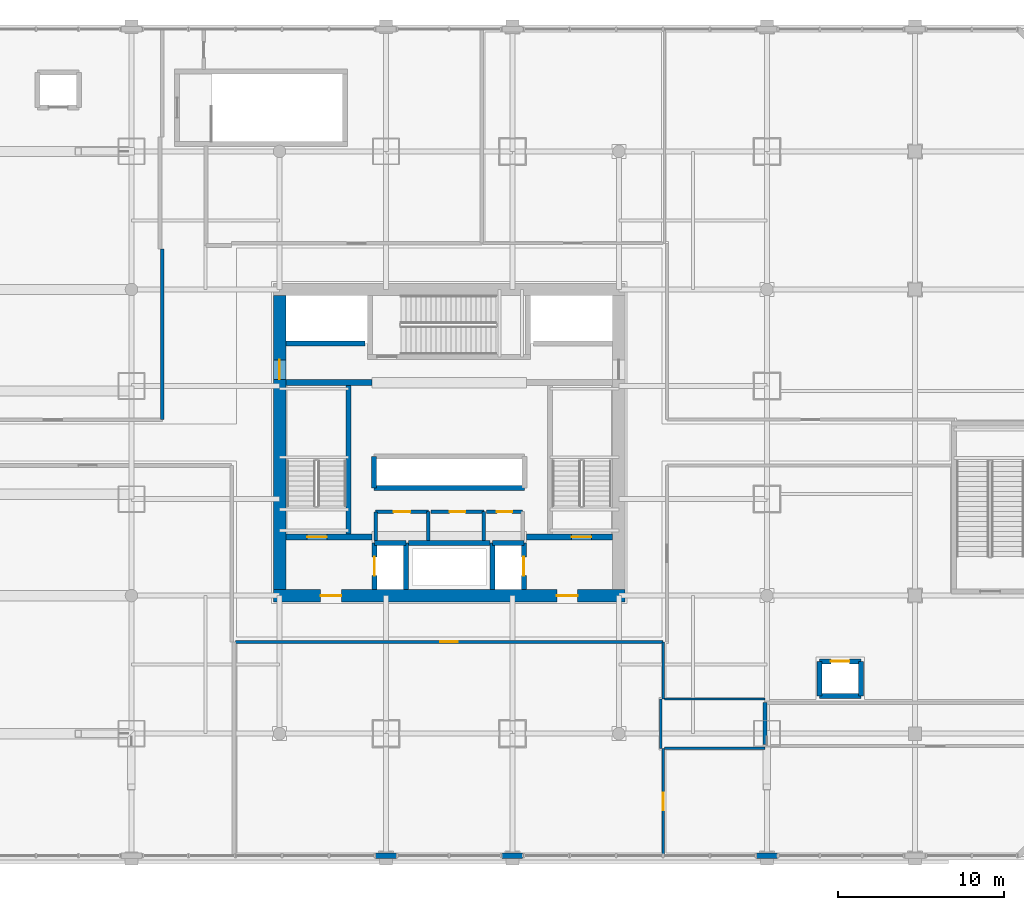
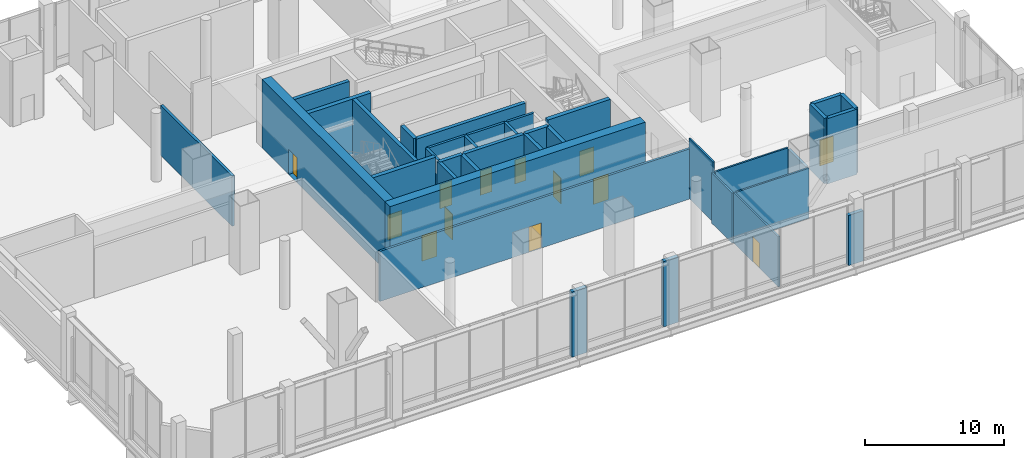
# One storey, part 27 of 38: 37 walls, 13 doors, 13 openings.
"""IFC4 building model written with IfcOpenShell, lengths in metres."""

from ifc_helpers import new_model, si_unit, direction, frame, frame_2d, origin, place, context, subcontext, project, spatial, rectangle, extrude, material, layer, layer_set, type_object, element, fill, save


model = new_model("IFC4")

# Units and contexts
model_context = context("Model", 3, precision=1e-05, world=origin(), true_north=direction((0.0, 1.0)))
body_context = subcontext(model_context, "Body", "Model", "MODEL_VIEW")
ifc_project = project(units=[si_unit("LENGTHUNIT", "METRE"), si_unit("AREAUNIT", "SQUARE_METRE"), si_unit("VOLUMEUNIT", "CUBIC_METRE"), si_unit("PLANEANGLEUNIT", "RADIAN"), si_unit("MASSUNIT", "GRAM", prefix="KILO")], contexts=[model_context])

# Site, building, storey
site_placement = place(None, origin())
site = spatial("IfcSite", under=ifc_project, at=site_placement, CompositionType="ELEMENT")
building_placement = place(site_placement, origin())
building = spatial("IfcBuilding", under=site, at=building_placement, Name="Punatoya Terracotta Tower", CompositionType="ELEMENT")
storey_placement = place(building_placement, frame((0.0, 0.0, 22.199951171875)))
storey = spatial("IfcBuildingStorey", under=building, at=storey_placement, Name="L04", CompositionType="ELEMENT", Elevation=22.199951171875)

# Wall, openings, doors
ifc_material_1 = material(Name="Concrete C60/75", Category="concrete")
ifc_layer_1 = layer(ifc_material_1, 0.75)
ifc_layer_set_1 = layer_set([ifc_layer_1], Name="Concrete C60/75")
wall_type_1 = type_object("IfcWallType", Name="WL-COR-750", PredefinedType="SHEAR", material=ifc_layer_set_1)
wall_1_placement = place(storey_placement, frame((10.574951171875, -9.199951171875, 0.0), z_axis=(0.0, 0.0, 1.0), x_axis=(-1.0, 0.0, 0.0)))
wall_1 = element("IfcWall", 1, at=wall_1_placement, inside=storey, type_object=wall_type_1, Name="L04 Core Shear Wall S", PredefinedType="SHEAR", context=body_context, shape_type="SweptSolid", body=[
    extrude(rectangle(XDim=21.14990234375, YDim=0.75, at=frame_2d((10.574951171875, 0.0))), origin(), (0.0, 0.0, 1.0), 6.0),
])
opening_1_placement = place(wall_1_placement, frame((2.85009765625, 0.0, 0.0)))
opening_1 = element("IfcOpeningElement", 2, at=opening_1_placement, cuts=wall_1, Name="Opening FD-L1", PredefinedType="OPENING", context=body_context, shape_type="SweptSolid", body=[
    extrude(rectangle(XDim=1.25, YDim=2.25, at=frame_2d((0.625, 1.125))), frame((0.0, 0.385009765625, 0.0), z_axis=(0.0, -1.0, 0.0), x_axis=(1.0, 0.0, 0.0)), (0.0, 0.0, 1.0), 0.77001953125),
])
opening_2_placement = place(wall_1_placement, frame((17.050048828125, 0.0, 0.0)))
opening_2 = element("IfcOpeningElement", 3, at=opening_2_placement, cuts=wall_1, Name="Opening FD-L1", PredefinedType="OPENING", context=body_context, shape_type="SweptSolid", body=[
    extrude(rectangle(XDim=1.25, YDim=2.25, at=frame_2d((0.625, 1.125))), frame((0.0, 0.385009765625, 0.0), z_axis=(0.0, -1.0, 0.0), x_axis=(1.0, 0.0, 0.0)), (0.0, 0.0, 1.0), 0.77001953125),
])
ifc_material_2 = material(Name="Galvanised Steel Smokeproof Fire Door", Category="steel")
door_type_1 = type_object("IfcDoorType", Name="DR-FFL-1250", OperationType="NOTDEFINED", PredefinedType="DOOR", material=ifc_material_2)
door_1_placement = place(opening_1_placement, origin())
door_1 = element("IfcDoor", 4, at=door_1_placement, inside=storey, type_object=door_type_1, Name="L04 East Firefighting Lobby Corridor Fire Door", OperationType="SINGLE_SWING_LEFT", OverallHeight=2.25, OverallWidth=1.25, PredefinedType="DOOR", context=body_context, shape_type="SweptSolid", body=[
    extrude(rectangle(XDim=1.25, YDim=2.25, at=frame_2d((0.625, 1.125))), frame((0.0, 0.02490234375, 0.0), z_axis=(0.0, -1.0, 0.0), x_axis=(1.0, 0.0, 0.0)), (0.0, 0.0, 1.0), 0.050048828125),
])
fill(opening_1, door_1)
door_2_placement = place(opening_2_placement, origin())
door_2 = element("IfcDoor", 5, at=door_2_placement, inside=storey, type_object=door_type_1, Name="L04 West Firefighting Lobby Corridor Fire Door", OperationType="SINGLE_SWING_RIGHT", OverallHeight=2.25, OverallWidth=1.25, PredefinedType="DOOR", context=body_context, shape_type="SweptSolid", body=[
    extrude(rectangle(XDim=1.25, YDim=2.25, at=frame_2d((0.625, 1.125))), frame((0.0, 0.02490234375, 0.0), z_axis=(0.0, -1.0, 0.0), x_axis=(1.0, 0.0, 0.0)), (0.0, 0.0, 1.0), 0.050048828125),
])
fill(opening_2, door_2)

# Wall, opening, door
wall_2_placement = place(storey_placement, frame((-10.199951171875, -8.824951171875, 0.0), z_axis=(0.0, 0.0, 1.0), x_axis=(0.0, 1.0, 0.0)))
wall_2 = element("IfcWall", 6, at=wall_2_placement, inside=storey, type_object=wall_type_1, Name="L04 Core Shear Wall W", PredefinedType="SHEAR", context=body_context, shape_type="SweptSolid", body=[
    extrude(rectangle(XDim=17.64990234375, YDim=0.75, at=frame_2d((8.824951171875, 0.0))), origin(), (0.0, 0.0, 1.0), 6.0),
])
opening_3_placement = place(wall_2_placement, frame((12.614990234375, 0.0, 0.0)))
opening_3 = element("IfcOpeningElement", 7, at=opening_3_placement, cuts=wall_2, Name="Opening SD-01", PredefinedType="OPENING", context=body_context, shape_type="SweptSolid", body=[
    extrude(rectangle(XDim=1.179931640625, YDim=2.199951171875, at=frame_2d((0.58984375, 1.10009765625))), frame((0.0, 0.385009765625, 0.0), z_axis=(0.0, -1.0, 0.0), x_axis=(1.0, 0.0, 0.0)), (0.0, 0.0, 1.0), 0.77001953125),
])
ifc_material_3 = material(Name="Galvanised Steel Pressurized Stair Fire Door", Category="steel")
door_type_2 = type_object("IfcDoorType", Name="DR-STR-1180", OperationType="NOTDEFINED", PredefinedType="DOOR", material=ifc_material_3)
door_3_placement = place(opening_3_placement, origin())
door_3 = element("IfcDoor", 8, at=door_3_placement, inside=storey, type_object=door_type_2, Name="L04 Central Lift Lobby West Fire Door", OperationType="SINGLE_SWING_LEFT", OverallHeight=2.199951171875, OverallWidth=1.179931640625, PredefinedType="DOOR", context=body_context, shape_type="SweptSolid", body=[
    extrude(rectangle(XDim=1.179931640625, YDim=2.199951171875, at=frame_2d((0.58984375, 1.10009765625))), frame((0.0, 0.02490234375, 0.0), z_axis=(0.0, -1.0, 0.0), x_axis=(1.0, 0.0, 0.0)), (0.0, 0.0, 1.0), 0.050048828125),
])
fill(opening_3, door_3)

ifc_material_4 = material(Name="Gypsum Fireboard + Steel Stud", Category="steel")
ifc_layer_2 = layer(ifc_material_4, 0.179931640625)
ifc_layer_set_2 = layer_set([ifc_layer_2], Name="Gypsum Fireboard + Steel Stud")
wall_type_2 = type_object("IfcWallType", Name="WL-CORR-180", PredefinedType="PARTITIONING", material=ifc_layer_set_2)
wall_3_placement = place(storey_placement, frame((-12.860107421875, -11.97998046875, 0.0), z_axis=(0.0, 0.0, 1.0), x_axis=(1.0, 0.0, 0.0)))
wall_3 = element("IfcWall", 9, at=wall_3_placement, inside=storey, type_object=wall_type_2, Name="L04 South Corporate Data Operations Suite Partition 23", PredefinedType="PARTITIONING", context=body_context, shape_type="SweptSolid", body=[
    extrude(rectangle(XDim=25.72021484375, YDim=0.179931640625, at=frame_2d((12.860107421875, 0.0))), origin(), (0.0, 0.0, 1.0), 4.39404296875),
])
opening_4_placement = place(wall_3_placement, frame((12.3349609375, 0.0, 0.0)))
opening_4 = element("IfcOpeningElement", 10, at=opening_4_placement, cuts=wall_3, Name="Opening OD-01", PredefinedType="OPENING", context=body_context, shape_type="SweptSolid", body=[
    extrude(rectangle(XDim=1.050048828125, YDim=2.199951171875, at=frame_2d((0.52490234375, 1.10009765625))), frame((0.0, 0.099853515625, 0.0), z_axis=(0.0, -1.0, 0.0), x_axis=(1.0, 0.0, 0.0)), (0.0, 0.0, 1.0), 0.199951171875),
])
ifc_material_5 = material(Name="Bengal Teak Solid-Core Leaf")
door_type_3 = type_object("IfcDoorType", Name="DR-OFF-1050", OperationType="NOTDEFINED", PredefinedType="DOOR", material=ifc_material_5)
door_4_placement = place(opening_4_placement, origin())
door_4 = element("IfcDoor", 11, at=door_4_placement, inside=storey, type_object=door_type_3, Name="L04 South Corporate Data Operations Suite Door", OperationType="SINGLE_SWING_LEFT", OverallHeight=2.199951171875, OverallWidth=1.050048828125, PredefinedType="DOOR", context=body_context, shape_type="SweptSolid", body=[
    extrude(rectangle(XDim=1.050048828125, YDim=2.199951171875, at=frame_2d((0.52490234375, 1.10009765625))), frame((0.0, 0.02490234375, 0.0), z_axis=(0.0, -1.0, 0.0), x_axis=(1.0, 0.0, 0.0)), (0.0, 0.0, 1.0), 0.050048828125),
])
fill(opening_4, door_4)

# Walls
ifc_material_6 = material(Name="Precast concrete C40/50", Category="concrete")
ifc_layer_3 = layer(ifc_material_6, 0.320068359375)
ifc_layer_set_3 = layer_set([ifc_layer_3], Name="Precast concrete C40/50")
wall_type_3 = type_object("IfcWallType", Name="WL-EXT-320", PredefinedType="SOLIDWALL", material=ifc_layer_set_3)
for number, where, z_axis, x_axis, name in (
    (12, (-4.419921875, -24.840087890625, 0.0), (0.0, 0.0, 1.0), (1.0, 0.0, 0.0), "L04 South Column Cladding Pier 3"),
    (13, (3.179931640625, -24.840087890625, 0.0), (0.0, 0.0, 1.0), (1.0, 0.0, 0.0), "L04 South Column Cladding Pier 4"),
):
    element("IfcWall", number, at=place(storey_placement, frame(where, z_axis=z_axis, x_axis=x_axis)), inside=storey, type_object=wall_type_3, Name=name, PredefinedType="SOLIDWALL", context=body_context, shape_type="SweptSolid", body=[
        extrude(rectangle(XDim=1.239990234375, YDim=0.320068359375, at=frame_2d((0.6201171875, 0.0))), origin(), (0.0, 0.0, 1.0), 5.719970703125),
    ])
wall_4_placement = place(storey_placement, frame((18.47998046875, -24.840087890625, 0.0), z_axis=(0.0, 0.0, 1.0), x_axis=(1.0, 0.0, 0.0)))
element("IfcWall", 14, at=wall_4_placement, inside=storey, type_object=wall_type_3, Name="L04 South Column Cladding Pier 5", PredefinedType="SOLIDWALL", context=body_context, shape_type="SweptSolid", body=[
    extrude(rectangle(XDim=1.239990234375, YDim=0.320068359375, at=frame_2d((0.6201171875, 0.0))), origin(), (0.0, 0.0, 1.0), 4.39404296875),
])
ifc_material_7 = material(Name="Concrete C40/50", Category="concrete")
ifc_layer_4 = layer(ifc_material_7, 0.219970703125)
ifc_layer_set_4 = layer_set([ifc_layer_4], Name="Concrete C40/50")
wall_type_4 = type_object("IfcWallType", Name="WL-FIR-220", PredefinedType="SOLIDWALL", material=ifc_layer_set_4)
wall_5_placement = place(storey_placement, frame((-17.239990234375, 11.6201171875, 0.0), z_axis=(0.0, 0.0, 1.0), x_axis=(0.0, -1.0, 0.0)))
element("IfcWall", 15, at=wall_5_placement, inside=storey, type_object=wall_type_4, Name="L04 North-West Podium Air-Handling Plant Room Partition 14", PredefinedType="SOLIDWALL", context=body_context, shape_type="SweptSolid", body=[
    extrude(rectangle(XDim=10.240234375, YDim=0.219970703125, at=frame_2d((5.1201171875, 0.0))), origin(), (0.0, 0.0, 1.0), 4.39404296875),
])
wall_6_placement = place(storey_placement, frame((18.97998046875, -18.159912109375, 0.0), z_axis=(0.0, 0.0, 1.0), x_axis=(0.0, 1.0, 0.0)))
element("IfcWall", 16, at=wall_6_placement, inside=storey, type_object=wall_type_4, Name="L04 East Stair Access Equipment Store Partition 33", PredefinedType="SOLIDWALL", context=body_context, shape_type="SweptSolid", body=[
    extrude(rectangle(XDim=2.52001953125, YDim=0.219970703125, at=frame_2d((1.260009765625, 0.0))), origin(), (0.0, 0.0, 1.0), 4.39404296875),
])
ifc_layer_5 = layer(ifc_material_7, 0.199951171875)
ifc_layer_set_5 = layer_set([ifc_layer_5], Name="Concrete C40/50")
wall_type_5 = type_object("IfcWallType", Name="WL-INT-200", PredefinedType="SOLIDWALL", material=ifc_layer_set_5)
wall_7_placement = place(storey_placement, frame((-1.25, -5.89990234375, 0.0), z_axis=(0.0, 0.0, 1.0), x_axis=(0.0, 1.0, 0.0)))
element("IfcWall", 17, at=wall_7_placement, inside=storey, type_object=wall_type_5, Name="L04 Accessible Universal Washroom Partition 01", PredefinedType="SOLIDWALL", context=body_context, shape_type="SweptSolid", body=[
    extrude(rectangle(XDim=1.739990234375, YDim=0.199951171875, at=frame_2d((0.8701171875, 0.0))), origin(), (0.0, 0.0, 1.0), 5.719970703125),
])

# Wall, opening, door
wall_8_placement = place(storey_placement, frame((-1.25, -4.159912109375, 0.0), z_axis=(0.0, 0.0, 1.0), x_axis=(-1.0, 0.0, 0.0)))
wall_8 = element("IfcWall", 18, at=wall_8_placement, inside=storey, type_object=wall_type_5, Name="L04 Accessible Universal Washroom Partition 02", PredefinedType="SOLIDWALL", context=body_context, shape_type="SweptSolid", body=[
    extrude(rectangle(XDim=3.169921875, YDim=0.199951171875, at=frame_2d((1.5849609375, 0.0))), origin(), (0.0, 0.0, 1.0), 5.719970703125),
])
opening_5_placement = place(wall_8_placement, frame((1.0849609375, 0.0, 0.0)))
opening_5 = element("IfcOpeningElement", 19, at=opening_5_placement, cuts=wall_8, Name="Opening AWD-1", PredefinedType="OPENING", context=body_context, shape_type="SweptSolid", body=[
    extrude(rectangle(XDim=1.0, YDim=2.14990234375, at=frame_2d((0.5, 1.074951171875))), frame((0.0, 0.10986328125, 0.0), z_axis=(0.0, -1.0, 0.0), x_axis=(1.0, 0.0, 0.0)), (0.0, 0.0, 1.0), 0.219970703125),
])
ifc_material_8 = material(Name="Bengal Teak Accessible WC Leaf")
door_type_4 = type_object("IfcDoorType", Name="DR-ACC-1000", OperationType="NOTDEFINED", PredefinedType="DOOR", material=ifc_material_8)
door_5_placement = place(opening_5_placement, origin())
door_5 = element("IfcDoor", 20, at=door_5_placement, inside=storey, type_object=door_type_4, Name="L04 Accessible Universal Washroom Door", OperationType="SINGLE_SWING_LEFT", OverallHeight=2.14990234375, OverallWidth=1.0, PredefinedType="DOOR", context=body_context, shape_type="SweptSolid", body=[
    extrude(rectangle(XDim=1.0, YDim=2.14990234375, at=frame_2d((0.5, 1.074951171875))), frame((0.0, 0.02490234375, 0.0), z_axis=(0.0, -1.0, 0.0), x_axis=(1.0, 0.0, 0.0)), (0.0, 0.0, 1.0), 0.050048828125),
])
fill(opening_5, door_5)

# Walls
for number, where, z_axis, x_axis, name in (
    (21, (-4.419921875, -4.159912109375, 0.0), (0.0, 0.0, 1.0), (0.0, -1.0, 0.0), "L04 Accessible Universal Washroom Partition 03"),
    (22, (2.080078125, -5.89990234375, 0.0), (0.0, 0.0, 1.0), (0.0, 1.0, 0.0), "L04 All-Gender Universal Washroom Partition 04"),
):
    element("IfcWall", number, at=place(storey_placement, frame(where, z_axis=z_axis, x_axis=x_axis)), inside=storey, type_object=wall_type_5, Name=name, PredefinedType="SOLIDWALL", context=body_context, shape_type="SweptSolid", body=[
        extrude(rectangle(XDim=1.739990234375, YDim=0.199951171875, at=frame_2d((0.8701171875, 0.0))), origin(), (0.0, 0.0, 1.0), 5.719970703125),
    ])

# Wall, opening, door
wall_9_placement = place(storey_placement, frame((2.080078125, -4.159912109375, 0.0), z_axis=(0.0, 0.0, 1.0), x_axis=(-1.0, 0.0, 0.0)))
wall_9 = element("IfcWall", 23, at=wall_9_placement, inside=storey, type_object=wall_type_5, Name="L04 All-Gender Universal Washroom Partition 05", PredefinedType="SOLIDWALL", context=body_context, shape_type="SweptSolid", body=[
    extrude(rectangle(XDim=3.170166015625, YDim=0.199951171875, at=frame_2d((1.5849609375, 0.0))), origin(), (0.0, 0.0, 1.0), 5.719970703125),
])
opening_6_placement = place(wall_9_placement, frame((1.110107421875, 0.0, 0.0)))
opening_6 = element("IfcOpeningElement", 24, at=opening_6_placement, cuts=wall_9, Name="Opening WD-01", PredefinedType="OPENING", context=body_context, shape_type="SweptSolid", body=[
    extrude(rectangle(XDim=0.949951171875, YDim=2.14990234375, at=frame_2d((0.47509765625, 1.074951171875))), frame((0.0, 0.10986328125, 0.0), z_axis=(0.0, -1.0, 0.0), x_axis=(1.0, 0.0, 0.0)), (0.0, 0.0, 1.0), 0.219970703125),
])
ifc_material_9 = material(Name="Moisture-Resistant Laminate Timber Leaf", Category="wood")
door_type_5 = type_object("IfcDoorType", Name="DR-WC-950", OperationType="NOTDEFINED", PredefinedType="DOOR", material=ifc_material_9)
door_6_placement = place(opening_6_placement, origin())
door_6 = element("IfcDoor", 25, at=door_6_placement, inside=storey, type_object=door_type_5, Name="L04 All-Gender Universal Washroom Door", OperationType="SINGLE_SWING_RIGHT", OverallHeight=2.14990234375, OverallWidth=0.949951171875, PredefinedType="DOOR", context=body_context, shape_type="SweptSolid", body=[
    extrude(rectangle(XDim=0.949951171875, YDim=2.14990234375, at=frame_2d((0.47509765625, 1.074951171875))), frame((0.0, 0.02490234375, 0.0), z_axis=(0.0, -1.0, 0.0), x_axis=(1.0, 0.0, 0.0)), (0.0, 0.0, 1.0), 0.050048828125),
])
fill(opening_6, door_6)

wall_10_placement = place(storey_placement, frame((4.419921875, -4.159912109375, 0.0), z_axis=(0.0, 0.0, 1.0), x_axis=(-1.0, 0.0, 0.0)))
wall_10 = element("IfcWall", 26, at=wall_10_placement, inside=storey, type_object=wall_type_5, Name="L04 Core Electrical Switchgear Room Partition 07", PredefinedType="SOLIDWALL", context=body_context, shape_type="SweptSolid", body=[
    extrude(rectangle(XDim=2.179931640625, YDim=0.199951171875, at=frame_2d((1.08984375, 0.0))), origin(), (0.0, 0.0, 1.0), 5.719970703125),
])
opening_7_placement = place(wall_10_placement, frame((0.6298828125, 0.0, 0.0)))
opening_7 = element("IfcOpeningElement", 27, at=opening_7_placement, cuts=wall_10, Name="Opening FD-R1", PredefinedType="OPENING", context=body_context, shape_type="SweptSolid", body=[
    extrude(rectangle(XDim=0.919921875, YDim=2.10009765625, at=frame_2d((0.4599609375, 1.050048828125))), frame((0.0, 0.10986328125, 0.0), z_axis=(0.0, -1.0, 0.0), x_axis=(1.0, 0.0, 0.0)), (0.0, 0.0, 1.0), 0.219970703125),
])
ifc_material_10 = material(Name="Galvanised Steel Riser Fire Access Door", Category="steel")
door_type_6 = type_object("IfcDoorType", Name="DR-RSR-920", OperationType="NOTDEFINED", PredefinedType="DOOR", material=ifc_material_10)
door_7_placement = place(opening_7_placement, origin())
door_7 = element("IfcDoor", 28, at=door_7_placement, inside=storey, type_object=door_type_6, Name="L04 Core Electrical Switchgear Room Fire Door", OperationType="SINGLE_SWING_LEFT", OverallHeight=2.10009765625, OverallWidth=0.919921875, PredefinedType="DOOR", context=body_context, shape_type="SweptSolid", body=[
    extrude(rectangle(XDim=0.919921875, YDim=2.10009765625, at=frame_2d((0.4599609375, 1.050048828125))), frame((0.0, 0.02490234375, 0.0), z_axis=(0.0, -1.0, 0.0), x_axis=(1.0, 0.0, 0.0)), (0.0, 0.0, 1.0), 0.050048828125),
])
fill(opening_7, door_7)

# Walls
ifc_material_11 = material(Name="Acoustic Gypsum + Steel Stud", Category="steel")
ifc_layer_6 = layer(ifc_material_11, 0.139892578125)
ifc_layer_set_6 = layer_set([ifc_layer_6], Name="Acoustic Gypsum + Steel Stud")
wall_type_6 = type_object("IfcWallType", Name="WL-OFF-140", PredefinedType="PARTITIONING", material=ifc_layer_set_6)
wall_11_placement = place(storey_placement, frame((12.860107421875, -11.97998046875, 0.0), z_axis=(0.0, 0.0, 1.0), x_axis=(0.0, -1.0, 0.0)))
element("IfcWall", 29, at=wall_11_placement, inside=storey, type_object=wall_type_6, Name="L04 South Corporate Data Operations Suite Partition 24", PredefinedType="PARTITIONING", context=body_context, shape_type="SweptSolid", body=[
    extrude(rectangle(XDim=3.43994140625, YDim=0.139892578125, at=frame_2d((1.719970703125, 0.0))), origin(), (0.0, 0.0, 1.0), 5.26416015625),
])
wall_12_placement = place(storey_placement, frame((12.719970703125, -15.419921875, 0.0), z_axis=(0.0, 0.0, 1.0), x_axis=(0.0, -1.0, 0.0)))
element("IfcWall", 30, at=wall_12_placement, inside=storey, type_object=wall_type_6, Name="L04 South Corporate Data Operations Suite Partition 25", PredefinedType="PARTITIONING", context=body_context, shape_type="SweptSolid", body=[
    extrude(rectangle(XDim=2.9599609375, YDim=0.139892578125, at=frame_2d((1.47998046875, 0.0))), origin(), (0.0, 0.0, 1.0), 4.39404296875),
])

# Wall, opening, door
wall_13_placement = place(storey_placement, frame((12.860107421875, -18.3798828125, 0.0), z_axis=(0.0, 0.0, 1.0), x_axis=(0.0, -1.0, 0.0)))
wall_13 = element("IfcWall", 31, at=wall_13_placement, inside=storey, type_object=wall_type_6, Name="L04 South Corporate Data Operations Suite Partition 26", PredefinedType="PARTITIONING", context=body_context, shape_type="SweptSolid", body=[
    extrude(rectangle(XDim=6.400146484375, YDim=0.139892578125, at=frame_2d((3.2001953125, 0.0))), origin(), (0.0, 0.0, 1.0), 4.39404296875),
])
opening_8_placement = place(wall_13_placement, frame((2.675048828125, 0.0, 0.0)))
opening_8 = element("IfcOpeningElement", 32, at=opening_8_placement, cuts=wall_13, Name="Opening OD-01", PredefinedType="OPENING", context=body_context, shape_type="SweptSolid", body=[
    extrude(rectangle(XDim=1.050048828125, YDim=2.199951171875, at=frame_2d((0.52490234375, 1.10009765625))), frame((0.0, 0.079833984375, 0.0), z_axis=(0.0, -1.0, 0.0), x_axis=(1.0, 0.0, 0.0)), (0.0, 0.0, 1.0), 0.159912109375),
])
door_8_placement = place(opening_8_placement, origin())
door_8 = element("IfcDoor", 33, at=door_8_placement, inside=storey, type_object=door_type_3, Name="L04 South-East Recovery Lounge Door", OperationType="SINGLE_SWING_LEFT", OverallHeight=2.199951171875, OverallWidth=1.050048828125, PredefinedType="DOOR", context=body_context, shape_type="SweptSolid", body=[
    extrude(rectangle(XDim=1.050048828125, YDim=2.199951171875, at=frame_2d((0.52490234375, 1.10009765625))), frame((0.0, 0.02490234375, 0.0), z_axis=(0.0, -1.0, 0.0), x_axis=(1.0, 0.0, 0.0)), (0.0, 0.0, 1.0), 0.050048828125),
])
fill(opening_8, door_8)

# Walls
for number, where, z_axis, x_axis, name in (
    (34, (18.97998046875, -15.419921875, 0.0), (0.0, 0.0, 1.0), (-1.0, 0.0, 0.0), "L04 South-East Staff Wellness Fitness Studio Partition 27"),
    (35, (12.93994140625, -18.3798828125, 0.0), (0.0, 0.0, 1.0), (1.0, 0.0, 0.0), "L04 South-East Recovery Lounge Partition 31"),
):
    element("IfcWall", number, at=place(storey_placement, frame(where, z_axis=z_axis, x_axis=x_axis)), inside=storey, type_object=wall_type_6, Name=name, PredefinedType="PARTITIONING", context=body_context, shape_type="SweptSolid", body=[
        extrude(rectangle(XDim=6.0400390625, YDim=0.139892578125, at=frame_2d((3.02001953125, 0.0))), origin(), (0.0, 0.0, 1.0), 4.39404296875),
    ])
ifc_layer_7 = layer(ifc_material_7, 0.300048828125)
ifc_layer_set_7 = layer_set([ifc_layer_7], Name="Concrete C40/50")
wall_type_7 = type_object("IfcWallType", Name="WL-SHF-300", PredefinedType="SOLIDWALL", material=ifc_layer_set_7)
wall_14_placement = place(storey_placement, frame((-6.050048828125, -5.5, 0.0), z_axis=(0.0, 0.0, 1.0), x_axis=(0.0, 1.0, 0.0)))
element("IfcWall", 36, at=wall_14_placement, inside=storey, type_object=wall_type_7, Name="L04 Structural Stair Shaft Wall SW-ST1-E", PredefinedType="SOLIDWALL", context=body_context, shape_type="SweptSolid", body=[
    extrude(rectangle(XDim=8.949951171875, YDim=0.300048828125, at=frame_2d((4.47509765625, 0.0))), origin(), (0.0, 0.0, 1.0), 6.0),
])

# Wall, opening, door
wall_15_placement = place(storey_placement, frame((-4.489990234375, -8.820068359375, 0.0), z_axis=(0.0, 0.0, 1.0), x_axis=(0.0, 1.0, 0.0)))
wall_15 = element("IfcWall", 37, at=wall_15_placement, inside=storey, type_object=wall_type_7, Name="L04 FFL-1 Front Hoistway Wall", PredefinedType="SOLIDWALL", context=body_context, shape_type="SweptSolid", body=[
    extrude(rectangle(XDim=2.77001953125, YDim=0.300048828125, at=frame_2d((1.385009765625, 0.0))), origin(), (0.0, 0.0, 1.0), 5.719970703125),
])
opening_9_placement = place(wall_15_placement, frame((0.824951171875, 0.0, 0.0)))
opening_9 = element("IfcOpeningElement", 38, at=opening_9_placement, cuts=wall_15, Name="Opening LD-02", PredefinedType="OPENING", context=body_context, shape_type="SweptSolid", body=[
    extrude(rectangle(XDim=1.1201171875, YDim=2.25, at=frame_2d((0.56005859375, 1.125))), frame((0.0, 0.159912109375, 0.0), z_axis=(0.0, -1.0, 0.0), x_axis=(1.0, 0.0, 0.0)), (0.0, 0.0, 1.0), 0.320068359375),
])
ifc_material_12 = material(Name="Stainless Steel Lift Landing Door", Category="steel")
door_type_7 = type_object("IfcDoorType", Name="DR-LND-1120", OperationType="NOTDEFINED", PredefinedType="DOOR", material=ifc_material_12)
door_9_placement = place(opening_9_placement, origin())
door_9 = element("IfcDoor", 39, at=door_9_placement, inside=storey, type_object=door_type_7, Name="L04 Firefighting Lift FFL-1 Sliding Landing Door", OperationType="SLIDING_TO_LEFT", OverallHeight=2.25, OverallWidth=1.1201171875, PredefinedType="DOOR", context=body_context, shape_type="SweptSolid", body=[
    extrude(rectangle(XDim=1.1201171875, YDim=2.25, at=frame_2d((0.56005859375, 1.125))), frame((0.0, 0.02490234375, 0.0), z_axis=(0.0, -1.0, 0.0), x_axis=(1.0, 0.0, 0.0)), (0.0, 0.0, 1.0), 0.050048828125),
])
fill(opening_9, door_9)

# Walls
wall_16_placement = place(storey_placement, frame((-2.610107421875, -8.820068359375, 0.0), z_axis=(0.0, 0.0, 1.0), x_axis=(0.0, 1.0, 0.0)))
element("IfcWall", 40, at=wall_16_placement, inside=storey, type_object=wall_type_7, Name="L04 FFL-1 Rear Hoistway Wall", PredefinedType="SOLIDWALL", context=body_context, shape_type="SweptSolid", body=[
    extrude(rectangle(XDim=2.77001953125, YDim=0.300048828125, at=frame_2d((1.385009765625, 0.0))), origin(), (0.0, 0.0, 1.0), 5.719970703125),
])
wall_17_placement = place(storey_placement, frame((-4.489990234375, -6.050048828125, 0.0), z_axis=(0.0, 0.0, 1.0), x_axis=(1.0, 0.0, 0.0)))
element("IfcWall", 41, at=wall_17_placement, inside=storey, type_object=wall_type_7, Name="L04 FFL-1 North Hoistway Wall", PredefinedType="SOLIDWALL", context=body_context, shape_type="SweptSolid", body=[
    extrude(rectangle(XDim=1.8798828125, YDim=0.300048828125, at=frame_2d((0.93994140625, 0.0))), origin(), (0.0, 0.0, 1.0), 5.719970703125),
])

# Wall, opening, door
wall_18_placement = place(storey_placement, frame((4.489990234375, -8.820068359375, 0.0), z_axis=(0.0, 0.0, 1.0), x_axis=(0.0, 1.0, 0.0)))
wall_18 = element("IfcWall", 42, at=wall_18_placement, inside=storey, type_object=wall_type_7, Name="L04 FFL-2 Front Hoistway Wall", PredefinedType="SOLIDWALL", context=body_context, shape_type="SweptSolid", body=[
    extrude(rectangle(XDim=2.77001953125, YDim=0.300048828125, at=frame_2d((1.385009765625, 0.0))), origin(), (0.0, 0.0, 1.0), 5.719970703125),
])
opening_10_placement = place(wall_18_placement, frame((0.824951171875, 0.0, 0.0)))
opening_10 = element("IfcOpeningElement", 43, at=opening_10_placement, cuts=wall_18, Name="Opening LD-02", PredefinedType="OPENING", context=body_context, shape_type="SweptSolid", body=[
    extrude(rectangle(XDim=1.1201171875, YDim=2.25, at=frame_2d((0.56005859375, 1.125))), frame((0.0, 0.159912109375, 0.0), z_axis=(0.0, -1.0, 0.0), x_axis=(1.0, 0.0, 0.0)), (0.0, 0.0, 1.0), 0.320068359375),
])
door_10_placement = place(opening_10_placement, origin())
door_10 = element("IfcDoor", 44, at=door_10_placement, inside=storey, type_object=door_type_7, Name="L04 Firefighting Lift FFL-2 Sliding Landing Door", OperationType="SLIDING_TO_RIGHT", OverallHeight=2.25, OverallWidth=1.1201171875, PredefinedType="DOOR", context=body_context, shape_type="SweptSolid", body=[
    extrude(rectangle(XDim=1.1201171875, YDim=2.25, at=frame_2d((0.56005859375, 1.125))), frame((0.0, 0.02490234375, 0.0), z_axis=(0.0, -1.0, 0.0), x_axis=(1.0, 0.0, 0.0)), (0.0, 0.0, 1.0), 0.050048828125),
])
fill(opening_10, door_10)

# Walls
wall_19_placement = place(storey_placement, frame((2.610107421875, -8.820068359375, 0.0), z_axis=(0.0, 0.0, 1.0), x_axis=(0.0, 1.0, 0.0)))
element("IfcWall", 45, at=wall_19_placement, inside=storey, type_object=wall_type_7, Name="L04 FFL-2 Rear Hoistway Wall", PredefinedType="SOLIDWALL", context=body_context, shape_type="SweptSolid", body=[
    extrude(rectangle(XDim=2.77001953125, YDim=0.300048828125, at=frame_2d((1.385009765625, 0.0))), origin(), (0.0, 0.0, 1.0), 5.719970703125),
])
wall_20_placement = place(storey_placement, frame((2.610107421875, -6.050048828125, 0.0), z_axis=(0.0, 0.0, 1.0), x_axis=(1.0, 0.0, 0.0)))
element("IfcWall", 46, at=wall_20_placement, inside=storey, type_object=wall_type_7, Name="L04 FFL-2 North Hoistway Wall", PredefinedType="SOLIDWALL", context=body_context, shape_type="SweptSolid", body=[
    extrude(rectangle(XDim=1.8798828125, YDim=0.300048828125, at=frame_2d((0.93994140625, 0.0))), origin(), (0.0, 0.0, 1.0), 5.719970703125),
])
wall_21_placement = place(storey_placement, frame((-4.52001953125, -2.719970703125, 0.0), z_axis=(0.0, 0.0, 1.0), x_axis=(1.0, 0.0, 0.0)))
element("IfcWall", 47, at=wall_21_placement, inside=storey, type_object=wall_type_7, Name="L04 South Lift Bank Rear Shaft Wall", PredefinedType="SOLIDWALL", context=body_context, shape_type="SweptSolid", body=[
    extrude(rectangle(XDim=9.0400390625, YDim=0.300048828125, at=frame_2d((4.52001953125, 0.0))), origin(), (0.0, 0.0, 1.0), 5.719970703125),
])
wall_22_placement = place(storey_placement, frame((-4.52001953125, -2.719970703125, 0.0), z_axis=(0.0, 0.0, 1.0), x_axis=(0.0, 1.0, 0.0)))
element("IfcWall", 48, at=wall_22_placement, inside=storey, type_object=wall_type_7, Name="L04 South Lift Bank West End Wall", PredefinedType="SOLIDWALL", context=body_context, shape_type="SweptSolid", body=[
    extrude(rectangle(XDim=1.8798828125, YDim=0.300048828125, at=frame_2d((0.93994140625, 0.0))), origin(), (0.0, 0.0, 1.0), 5.719970703125),
])
wall_23_placement = place(storey_placement, frame((-9.820068359375, 5.949951171875, 0.0), z_axis=(0.0, 0.0, 1.0), x_axis=(1.0, 0.0, 0.0)))
element("IfcWall", 49, at=wall_23_placement, inside=storey, type_object=wall_type_7, Name="L04 Shuttle SL-1 South Hoistway Wall", PredefinedType="SOLIDWALL", context=body_context, shape_type="SweptSolid", body=[
    extrude(rectangle(XDim=4.760009765625, YDim=0.300048828125, at=frame_2d((2.3798828125, 0.0))), origin(), (0.0, 0.0, 1.0), 5.719970703125),
])
wall_24_placement = place(storey_placement, frame((-2.449951171875, -6.050048828125, 0.0), z_axis=(0.0, 0.0, 1.0), x_axis=(1.0, 0.0, 0.0)))
element("IfcWall", 50, at=wall_24_placement, inside=storey, type_object=wall_type_7, Name="L04 Observation Shuttle Rear Hoistway Wall", PredefinedType="SOLIDWALL", context=body_context, shape_type="SweptSolid", body=[
    extrude(rectangle(XDim=4.89990234375, YDim=0.300048828125, at=frame_2d((2.449951171875, 0.0))), origin(), (0.0, 0.0, 1.0), 5.719970703125),
])

# Wall, opening, door
wall_25_placement = place(storey_placement, frame((22.25, -13.14990234375, 0.0), z_axis=(0.0, 0.0, 1.0), x_axis=(1.0, 0.0, 0.0)))
wall_25 = element("IfcWall", 51, at=wall_25_placement, inside=storey, type_object=wall_type_7, Name="L04 Podium Lift PL-P2 Front Wall", PredefinedType="SOLIDWALL", context=body_context, shape_type="SweptSolid", body=[
    extrude(rectangle(XDim=2.5, YDim=0.300048828125, at=frame_2d((1.25, 0.0))), origin(), (0.0, 0.0, 1.0), 5.719970703125),
])
opening_11_placement = place(wall_25_placement, frame((0.68994140625, 0.0, 0.0)))
opening_11 = element("IfcOpeningElement", 52, at=opening_11_placement, cuts=wall_25, Name="Opening LD-02", PredefinedType="OPENING", context=body_context, shape_type="SweptSolid", body=[
    extrude(rectangle(XDim=1.1201171875, YDim=2.25, at=frame_2d((0.56005859375, 1.125))), frame((0.0, 0.159912109375, 0.0), z_axis=(0.0, -1.0, 0.0), x_axis=(1.0, 0.0, 0.0)), (0.0, 0.0, 1.0), 0.320068359375),
])
door_11_placement = place(opening_11_placement, origin())
door_11 = element("IfcDoor", 53, at=door_11_placement, inside=storey, type_object=door_type_7, Name="L04 Podium Lift PL-P2 Sliding Landing Door", OperationType="DOUBLE_DOOR_SLIDING", OverallHeight=2.25, OverallWidth=1.1201171875, PredefinedType="DOOR", context=body_context, shape_type="SweptSolid", body=[
    extrude(rectangle(XDim=1.1201171875, YDim=2.25, at=frame_2d((0.56005859375, 1.125))), frame((0.0, 0.02490234375, 0.0), z_axis=(0.0, -1.0, 0.0), x_axis=(1.0, 0.0, 0.0)), (0.0, 0.0, 1.0), 0.050048828125),
])
fill(opening_11, door_11)

# Walls
wall_26_placement = place(storey_placement, frame((22.25, -15.25, 0.0), z_axis=(0.0, 0.0, 1.0), x_axis=(1.0, 0.0, 0.0)))
element("IfcWall", 54, at=wall_26_placement, inside=storey, type_object=wall_type_7, Name="L04 Podium Lift PL-P2 Rear Wall", PredefinedType="SOLIDWALL", context=body_context, shape_type="SweptSolid", body=[
    extrude(rectangle(XDim=2.5, YDim=0.300048828125, at=frame_2d((1.25, 0.0))), origin(), (0.0, 0.0, 1.0), 5.719970703125),
])
for number, where, z_axis, x_axis, name in (
    (55, (22.25, -15.25, 0.0), (0.0, 0.0, 1.0), (0.0, 1.0, 0.0), "L04 Podium Lift PL-P2 West Wall"),
    (56, (24.75, -15.25, 0.0), (0.0, 0.0, 1.0), (0.0, 1.0, 0.0), "L04 Podium Lift PL-P2 East Wall"),
):
    element("IfcWall", number, at=place(storey_placement, frame(where, z_axis=z_axis, x_axis=x_axis)), inside=storey, type_object=wall_type_7, Name=name, PredefinedType="SOLIDWALL", context=body_context, shape_type="SweptSolid", body=[
        extrude(rectangle(XDim=2.10009765625, YDim=0.300048828125, at=frame_2d((1.050048828125, 0.0))), origin(), (0.0, 0.0, 1.0), 5.719970703125),
    ])

# Wall, opening, door
ifc_material_13 = material(Name="Concrete C50/60", Category="concrete")
ifc_layer_8 = layer(ifc_material_13, 0.35009765625)
ifc_layer_set_8 = layer_set([ifc_layer_8], Name="Concrete C50/60")
wall_type_8 = type_object("IfcWallType", Name="WL-SHF-350", PredefinedType="SOLIDWALL", material=ifc_layer_set_8)
wall_27_placement = place(storey_placement, frame((-9.824951171875, -5.679931640625, 0.0), z_axis=(0.0, 0.0, 1.0), x_axis=(1.0, 0.0, 0.0)))
wall_27 = element("IfcWall", 57, at=wall_27_placement, inside=storey, type_object=wall_type_8, Name="L04 Core Web Wall CSW-L", PredefinedType="SOLIDWALL", context=body_context, shape_type="SweptSolid", body=[
    extrude(rectangle(XDim=5.175048828125, YDim=0.35009765625, at=frame_2d((2.58740234375, 0.0))), origin(), (0.0, 0.0, 1.0), 6.0),
])
opening_12_placement = place(wall_27_placement, frame((1.284912109375, 0.0, 0.0)))
opening_12 = element("IfcOpeningElement", 58, at=opening_12_placement, cuts=wall_27, Name="Opening SD-01", PredefinedType="OPENING", context=body_context, shape_type="SweptSolid", body=[
    extrude(rectangle(XDim=1.179931640625, YDim=2.199951171875, at=frame_2d((0.58984375, 1.10009765625))), frame((0.0, 0.18505859375, 0.0), z_axis=(0.0, -1.0, 0.0), x_axis=(1.0, 0.0, 0.0)), (0.0, 0.0, 1.0), 0.3701171875),
])
door_12_placement = place(opening_12_placement, origin())
door_12 = element("IfcDoor", 59, at=door_12_placement, inside=storey, type_object=door_type_2, Name="L04 Stair ST-1 Smokeproof Lobby Fire Door", OperationType="SINGLE_SWING_LEFT", OverallHeight=2.199951171875, OverallWidth=1.179931640625, PredefinedType="DOOR", context=body_context, shape_type="SweptSolid", body=[
    extrude(rectangle(XDim=1.179931640625, YDim=2.199951171875, at=frame_2d((0.58984375, 1.10009765625))), frame((0.0, 0.02490234375, 0.0), z_axis=(0.0, -1.0, 0.0), x_axis=(1.0, 0.0, 0.0)), (0.0, 0.0, 1.0), 0.050048828125),
])
fill(opening_12, door_12)

wall_28_placement = place(storey_placement, frame((4.64990234375, -5.679931640625, 0.0), z_axis=(0.0, 0.0, 1.0), x_axis=(1.0, 0.0, 0.0)))
wall_28 = element("IfcWall", 60, at=wall_28_placement, inside=storey, type_object=wall_type_8, Name="L04 Core Web Wall CSW-R", PredefinedType="SOLIDWALL", context=body_context, shape_type="SweptSolid", body=[
    extrude(rectangle(XDim=5.175048828125, YDim=0.35009765625, at=frame_2d((2.58740234375, 0.0))), origin(), (0.0, 0.0, 1.0), 6.0),
])
opening_13_placement = place(wall_28_placement, frame((2.7099609375, 0.0, 0.0)))
opening_13 = element("IfcOpeningElement", 61, at=opening_13_placement, cuts=wall_28, Name="Opening SD-01", PredefinedType="OPENING", context=body_context, shape_type="SweptSolid", body=[
    extrude(rectangle(XDim=1.179931640625, YDim=2.199951171875, at=frame_2d((0.58984375, 1.10009765625))), frame((0.0, 0.18505859375, 0.0), z_axis=(0.0, -1.0, 0.0), x_axis=(1.0, 0.0, 0.0)), (0.0, 0.0, 1.0), 0.3701171875),
])
door_13_placement = place(opening_13_placement, origin())
door_13 = element("IfcDoor", 62, at=door_13_placement, inside=storey, type_object=door_type_2, Name="L04 Stair ST-2 Smokeproof Lobby Fire Door", OperationType="SINGLE_SWING_RIGHT", OverallHeight=2.199951171875, OverallWidth=1.179931640625, PredefinedType="DOOR", context=body_context, shape_type="SweptSolid", body=[
    extrude(rectangle(XDim=1.179931640625, YDim=2.199951171875, at=frame_2d((0.58984375, 1.10009765625))), frame((0.0, 0.02490234375, 0.0), z_axis=(0.0, -1.0, 0.0), x_axis=(1.0, 0.0, 0.0)), (0.0, 0.0, 1.0), 0.050048828125),
])
fill(opening_13, door_13)

# Wall
wall_29_placement = place(storey_placement, frame((-9.824951171875, 3.60009765625, 0.0), z_axis=(0.0, 0.0, 1.0), x_axis=(1.0, 0.0, 0.0)))
element("IfcWall", 63, at=wall_29_placement, inside=storey, type_object=wall_type_8, Name="L04 Core Web Wall CNW-L", PredefinedType="SOLIDWALL", context=body_context, shape_type="SweptSolid", body=[
    extrude(rectangle(XDim=5.175048828125, YDim=0.35009765625, at=frame_2d((2.58740234375, 0.0))), origin(), (0.0, 0.0, 1.0), 6.0),
])

save(model, "model.ifc")
